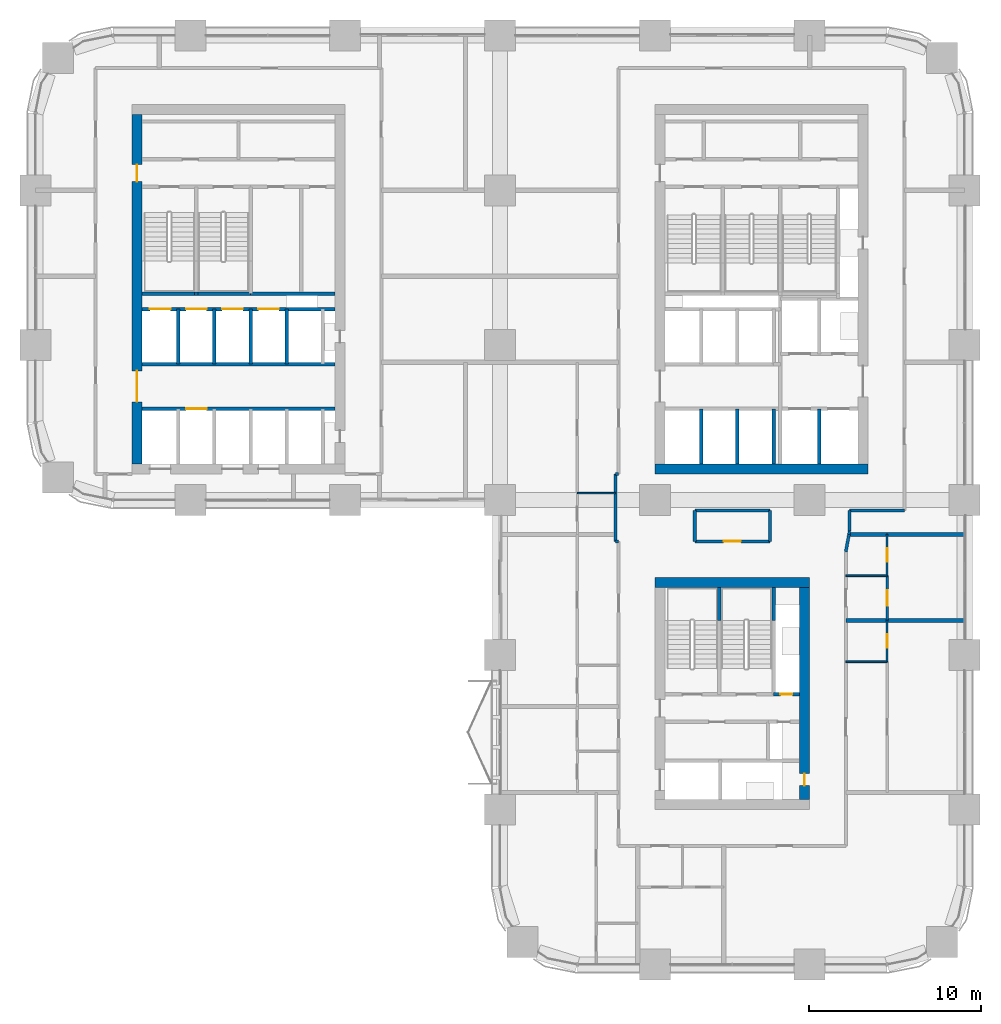
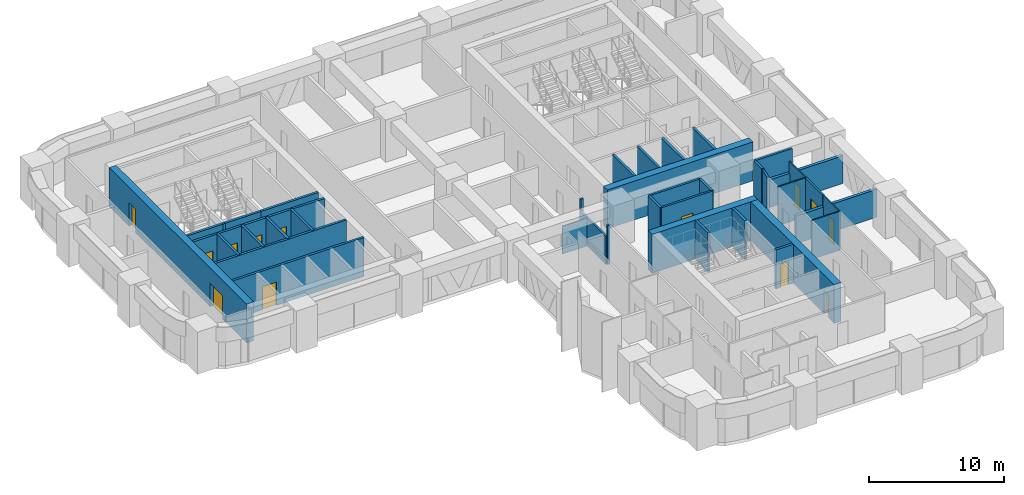
# One storey, part 14 of 19: 41 walls, 13 doors, 13 openings.
"""IFC4 building model written with IfcOpenShell, lengths in metres."""

import ifcopenshell
import ifcopenshell.guid

model = None  # the IFC model being written
_history = None  # IfcOwnerHistory: only IFC2X3 demands one
_inside = {}  # id of a spatial element -> (the spatial element, [elements in it])
_under = {}  # id of a project, library or spatial element -> (it, [spatial elements below it])
_declared = {}  # id of a project -> (the project, [libraries it declares])
_typed = {}  # id of a type object -> (the type object, [elements of that type])
_made_of = {}  # id of a material, layer set ... -> (it, [elements and type objects made of it])


def new_model(schema):
    """Start an empty IFC model of exactly this schema.

    Asked for "IFC4X3", IfcOpenShell would pick the latest addendum, in which some entities
    have other attributes; the version numbers below select the first issue.
    IFC2X3 requires an IfcOwnerHistory on every rooted entity: one is made here for all.
    """
    global model, _history
    if schema == "IFC4X3":
        model = ifcopenshell.file(schema_version=(4, 3, 0, 0))
    else:
        model = ifcopenshell.file(schema=schema)
    _inside.clear()
    _under.clear()
    _declared.clear()
    _typed.clear()
    _made_of.clear()
    _history = None
    if model.schema == "IFC2X3":
        org = make("IfcOrganization", Name="unknown")
        user = make(
            "IfcPersonAndOrganization",
            ThePerson=make("IfcPerson", FamilyName="unknown"),
            TheOrganization=org,
        )
        app = make(
            "IfcApplication",
            ApplicationDeveloper=org,
            Version="unknown",
            ApplicationFullName="unknown",
            ApplicationIdentifier="unknown",
        )
        _history = make(
            "IfcOwnerHistory",
            OwningUser=user,
            OwningApplication=app,
            ChangeAction="ADDED",
            CreationDate=0,
        )
    return model


def make(cls, **values):
    """One entity of the class cls with the attributes given. An attribute that is None is left unset."""
    return model.create_entity(
        cls, **{name: value for name, value in values.items() if value is not None}
    )


def rooted(cls, **values):
    """An entity with a GlobalId (a new one), such as an element, a storey or a relation."""
    return make(cls, GlobalId=ifcopenshell.guid.new(), OwnerHistory=_history, **values)


def si_unit(unit_type, name, prefix=None):
    """IfcSIUnit, for example si_unit("LENGTHUNIT", "METRE", prefix="MILLI")."""
    return make("IfcSIUnit", UnitType=unit_type, Prefix=prefix, Name=name)


def assignment(units):
    """IfcUnitAssignment: the units of a project."""
    return None if units is None else make("IfcUnitAssignment", Units=units)


def point(xyz):
    """IfcCartesianPoint."""
    return None if xyz is None else make("IfcCartesianPoint", Coordinates=xyz)


def direction(xyz):
    """IfcDirection."""
    return None if xyz is None else make("IfcDirection", DirectionRatios=xyz)


def frame(location, z_axis=None, x_axis=None):
    """IfcAxis2Placement3D, a coordinate frame: its origin and axes. An axis left out is left unset."""
    return make(
        "IfcAxis2Placement3D",
        Location=point(location),
        Axis=direction(z_axis),
        RefDirection=direction(x_axis),
    )


def frame_2d(location, x_axis=None):
    """IfcAxis2Placement2D, a coordinate frame in the plane: its origin and x axis."""
    return make(
        "IfcAxis2Placement2D", Location=point(location), RefDirection=direction(x_axis)
    )


def origin():
    """The frame at (0, 0, 0) with its axes left unset."""
    return frame((0.0, 0.0, 0.0))


def place(relative_to, where):
    """IfcLocalPlacement: puts the frame where relative to a parent placement (None: the world)."""
    return make(
        "IfcLocalPlacement", PlacementRelTo=relative_to, RelativePlacement=where
    )


def context(
    kind, dimensions, precision=None, world=None, true_north=None, identifier=None
):
    """IfcGeometricRepresentationContext, for example the 3D "Model" context."""
    return make(
        "IfcGeometricRepresentationContext",
        ContextIdentifier=identifier,
        ContextType=kind,
        CoordinateSpaceDimension=dimensions,
        Precision=precision,
        WorldCoordinateSystem=world,
        TrueNorth=true_north,
    )


def subcontext(parent, identifier, kind, view, scale=None):
    """IfcGeometricRepresentationSubContext, for example "Body" below "Model"."""
    return make(
        "IfcGeometricRepresentationSubContext",
        ContextIdentifier=identifier,
        ContextType=kind,
        ParentContext=parent,
        TargetScale=scale,
        TargetView=view,
    )


def project(units=None, contexts=None):
    """IfcProject with its units and contexts."""
    return rooted(
        "IfcProject",
        Name="project",
        RepresentationContexts=contexts,
        UnitsInContext=assignment(units),
    )


def spatial(cls, under=None, at=None, **own):
    """A site, building, storey or space (cls), placed at a placement, below another one or the project."""
    s = rooted(cls, ObjectPlacement=at, **own)
    if under is not None:
        _under.setdefault(under.id(), (under, []))[1].append(s)
    return s


def profile(cls, at=None, kind="AREA", **sizes):
    """A parametric profile (cls). Its sizes go by their IFC names, for example OverallWidth=200.0."""
    return make(cls, ProfileType=kind, Position=at, **sizes)


def rectangle(**sizes):
    """IfcRectangleProfileDef."""
    return profile("IfcRectangleProfileDef", **sizes)


def extrude(swept, where, along, depth):
    """IfcExtrudedAreaSolid: the profile swept, set in the frame where, extruded along a direction by depth."""
    return make(
        "IfcExtrudedAreaSolid",
        SweptArea=swept,
        Position=where,
        ExtrudedDirection=direction(along),
        Depth=depth,
    )


def shape(context_of_items, identifier, shape_type, items):
    """IfcShapeRepresentation: the items that make up one representation, for example the "Body"."""
    return make(
        "IfcShapeRepresentation",
        ContextOfItems=context_of_items,
        RepresentationIdentifier=identifier,
        RepresentationType=shape_type,
        Items=items,
    )


def material(Name=None, Category=None):
    """IfcMaterial."""
    return make("IfcMaterial", Name=Name, Category=Category)


def layer(
    of_material, thickness, ventilated=None, Name=None, Category=None, Priority=None
):
    """IfcMaterialLayer: one layer of a wall or slab, of a material (None: an air gap)."""
    return make(
        "IfcMaterialLayer",
        Material=of_material,
        LayerThickness=thickness,
        IsVentilated=ventilated,
        Name=Name,
        Category=Category,
        Priority=Priority,
    )


def layer_set(layers, Name=None):
    """IfcMaterialLayerSet."""
    return make("IfcMaterialLayerSet", MaterialLayers=layers, LayerSetName=Name)


def made_of(thing, what):
    """Note that an element or type object is made of a material, layer set ...; save() writes the relation."""
    if what is not None:
        _made_of.setdefault(what.id(), (what, []))[1].append(thing)
    return thing


def type_object(cls, material=None, **own):
    """A type object (cls), such as IfcWallType, which elements share."""
    return made_of(rooted(cls, **own), material)


def element(
    cls,
    number,
    at=None,
    inside=None,
    cuts=None,
    type_object=None,
    material=None,
    context=None,
    identifier="Body",
    shape_type=None,
    held_by="IfcProductDefinitionShape",
    body=None,
    shapes=None,
    **own,
):
    """One element of the class cls, such as IfcWall. Its Tag is "e" and its number.

    at: its placement. inside: the storey or other place that contains it. cuts: it is an
    opening in that element (IfcRelVoidsElement). A single representation is given by context,
    identifier, shape_type and body (its items); several are given by shapes. held_by: the class
    of the entity that holds the representations. save() writes the other relations.
    """
    e = rooted(cls, Tag="e%d" % number, ObjectPlacement=at, **own)
    if body is not None:
        shapes = [shape(context, identifier, shape_type, body)]
    if shapes is not None:
        e.Representation = make(held_by, Representations=shapes)
    if inside is not None:
        _inside.setdefault(inside.id(), (inside, []))[1].append(e)
    if cuts is not None:
        rooted(
            "IfcRelVoidsElement", RelatingBuildingElement=cuts, RelatedOpeningElement=e
        )
    if type_object is not None:
        _typed.setdefault(type_object.id(), (type_object, []))[1].append(e)
    return made_of(e, material)


def fill(opening, filler):
    """IfcRelFillsElement: the door or window that sits in an opening."""
    return rooted(
        "IfcRelFillsElement",
        RelatingOpeningElement=opening,
        RelatedBuildingElement=filler,
    )


def aggregate(whole, parts):
    """IfcRelAggregates: a whole, such as a stair, and the parts it consists of."""
    return rooted("IfcRelAggregates", RelatingObject=whole, RelatedObjects=parts)


def save(model, path):
    """Write the relations noted so far, then the file.

    IfcRelAggregates (storeys below a building ...), IfcRelContainedInSpatialStructure (elements
    in a storey), IfcRelDefinesByType, IfcRelAssociatesMaterial and IfcRelDeclares: one each for
    every whole, place, type object, material and project.
    """
    for whole, parts in _under.values():
        aggregate(whole, parts)
    for where, things in _inside.values():
        rooted(
            "IfcRelContainedInSpatialStructure",
            RelatedElements=things,
            RelatingStructure=where,
        )
    for kind, things in _typed.values():
        rooted("IfcRelDefinesByType", RelatedObjects=things, RelatingType=kind)
    for what, things in _made_of.values():
        rooted("IfcRelAssociatesMaterial", RelatedObjects=things, RelatingMaterial=what)
    for by, libraries in _declared.values():
        rooted("IfcRelDeclares", RelatingContext=by, RelatedDefinitions=libraries)
    model.write(path)


model = new_model("IFC4")

# Units and contexts
model_context = context("Model", 3, precision=1e-05, world=origin(), true_north=direction((0.0, 1.0)))
body_context = subcontext(model_context, "Body", "Model", "MODEL_VIEW")
ifc_project = project(units=[si_unit("LENGTHUNIT", "METRE"), si_unit("AREAUNIT", "SQUARE_METRE"), si_unit("VOLUMEUNIT", "CUBIC_METRE"), si_unit("PLANEANGLEUNIT", "RADIAN"), si_unit("MASSUNIT", "GRAM", prefix="KILO")], contexts=[model_context])

# Site, building, storey
site_placement = place(None, origin())
site = spatial("IfcSite", under=ifc_project, at=site_placement, CompositionType="ELEMENT")
building_placement = place(site_placement, origin())
building = spatial("IfcBuilding", under=site, at=building_placement, Name="Tessera Arch", CompositionType="ELEMENT")
storey_placement = place(building_placement, frame((0.0, 0.0, 85.39990234375)))
storey = spatial("IfcBuildingStorey", under=building, at=storey_placement, Name="L19", CompositionType="ELEMENT", Elevation=85.39990234375)

# Wall
ifc_material_1 = material(Name="Concrete C70/85", Category="concrete")
ifc_layer_1 = layer(ifc_material_1, 0.60009765625)
ifc_layer_set_1 = layer_set([ifc_layer_1], Name="Core shell wall 600 C70-85")
wall_type_1 = type_object("IfcWallType", Name="Core shell wall 600 C70-85", PredefinedType="SHEAR", material=ifc_layer_set_1)
wall_1_placement = place(storey_placement, frame((36.0, 28.800048828125, 0.0), z_axis=(0.0, 0.0, 1.0), x_axis=(1.0, 0.0, 0.0)))
element("IfcWall", 1, at=wall_1_placement, inside=storey, type_object=wall_type_1, Name="L19 C1 core wall S", PredefinedType="SHEAR", context=body_context, shape_type="SweptSolid", body=[
    extrude(rectangle(XDim=12.39990234375, YDim=0.60009765625, at=frame_2d((6.199951171875, 0.0))), origin(), (0.0, 0.0, 1.0), 3.5),
])

# Wall, openings, doors
wall_2_placement = place(storey_placement, frame((5.89990234375, 29.10009765625, 0.0), z_axis=(0.0, 0.0, 1.0), x_axis=(0.0, 1.0, 0.0)))
wall_2 = element("IfcWall", 2, at=wall_2_placement, inside=storey, type_object=wall_type_1, Name="L19 C2 core wall W", PredefinedType="SHEAR", context=body_context, shape_type="SweptSolid", body=[
    extrude(rectangle(XDim=20.2998046875, YDim=0.60009765625, at=frame_2d((10.14990234375, 0.0))), origin(), (0.0, 0.0, 1.0), 3.5),
])
opening_1_placement = place(wall_2_placement, frame((3.60009765625, 0.0, 0.0)))
opening_1 = element("IfcOpeningElement", 3, at=opening_1_placement, cuts=wall_2, Name="Opening L19-C25", PredefinedType="OPENING", context=body_context, shape_type="SweptSolid", body=[
    extrude(rectangle(XDim=1.800048828125, YDim=2.10009765625, at=frame_2d((0.89990234375, 1.050048828125))), frame((0.0, 0.31005859375, 0.0), z_axis=(0.0, -1.0, 0.0), x_axis=(1.0, 0.0, 0.0)), (0.0, 0.0, 1.0), 0.6201171875),
])
opening_2_placement = place(wall_2_placement, frame((16.39990234375, 0.0, 0.0)))
opening_2 = element("IfcOpeningElement", 4, at=opening_2_placement, cuts=wall_2, Name="Opening L19-C28", PredefinedType="OPENING", context=body_context, shape_type="SweptSolid", body=[
    extrude(rectangle(XDim=1.0, YDim=2.10009765625, at=frame_2d((0.5, 1.050048828125))), frame((0.0, 0.31005859375, 0.0), z_axis=(0.0, -1.0, 0.0), x_axis=(1.0, 0.0, 0.0)), (0.0, 0.0, 1.0), 0.6201171875),
])
ifc_material_2 = material(Name="Steel door leaf", Category="steel")
door_type_1 = type_object("IfcDoorType", Name="Corridor door FD60 1000 x 2100", OperationType="SINGLE_SWING_LEFT", PredefinedType="DOOR", material=ifc_material_2)
door_1_placement = place(opening_2_placement, origin())
door_1 = element("IfcDoor", 5, at=door_1_placement, inside=storey, type_object=door_type_1, Name="L19 C2 door 14 C28 type D12", OperationType="SINGLE_SWING_RIGHT", OverallHeight=2.10009765625, OverallWidth=1.0, PredefinedType="DOOR", context=body_context, shape_type="SweptSolid", body=[
    extrude(rectangle(XDim=1.0, YDim=2.10009765625, at=frame_2d((0.5, 1.050048828125))), frame((0.0, 0.02490234375, 0.0), z_axis=(0.0, -1.0, 0.0), x_axis=(1.0, 0.0, 0.0)), (0.0, 0.0, 1.0), 0.050048828125),
])
fill(opening_2, door_1)
ifc_material_3 = material(Name="Glazed steel door leaf", Category="steel")
door_type_2 = type_object("IfcDoorType", Name="Lobby double door FD30S 1800 x 2100", OperationType="DOUBLE_DOOR_SINGLE_SWING", PredefinedType="DOOR", material=ifc_material_3)
door_2_placement = place(opening_1_placement, origin())
door_2 = element("IfcDoor", 6, at=door_2_placement, inside=storey, type_object=door_type_2, Name="L19 C2 door 11 C25 type D06", OperationType="DOUBLE_DOOR_SINGLE_SWING", OverallHeight=2.10009765625, OverallWidth=1.800048828125, PredefinedType="DOOR", context=body_context, shape_type="SweptSolid", body=[
    extrude(rectangle(XDim=1.800048828125, YDim=2.10009765625, at=frame_2d((0.89990234375, 1.050048828125))), frame((0.0, 0.02490234375, 0.0), z_axis=(0.0, -1.0, 0.0), x_axis=(1.0, 0.0, 0.0)), (0.0, 0.0, 1.0), 0.050048828125),
])
fill(opening_1, door_2)

# Wall
wall_3_placement = place(storey_placement, frame((36.0, 22.199951171875, 0.0), z_axis=(0.0, 0.0, 1.0), x_axis=(1.0, 0.0, 0.0)))
element("IfcWall", 7, at=wall_3_placement, inside=storey, type_object=wall_type_1, Name="L19 C3 core wall N", PredefinedType="SHEAR", context=body_context, shape_type="SweptSolid", body=[
    extrude(rectangle(XDim=9.0, YDim=0.60009765625, at=frame_2d((4.5, 0.0))), origin(), (0.0, 0.0, 1.0), 3.5),
])

# Wall, opening, door
wall_4_placement = place(storey_placement, frame((44.699951171875, 9.60009765625, 0.0), z_axis=(0.0, 0.0, 1.0), x_axis=(0.0, 1.0, 0.0)))
wall_4 = element("IfcWall", 8, at=wall_4_placement, inside=storey, type_object=wall_type_1, Name="L19 C3 core wall E", PredefinedType="SHEAR", context=body_context, shape_type="SweptSolid", body=[
    extrude(rectangle(XDim=12.2998046875, YDim=0.60009765625, at=frame_2d((6.14990234375, 0.0))), origin(), (0.0, 0.0, 1.0), 3.5),
])
opening_3_placement = place(wall_4_placement, frame((0.800048828125, 0.0, 0.0)))
opening_3 = element("IfcOpeningElement", 9, at=opening_3_placement, cuts=wall_4, Name="Opening L19-C38", PredefinedType="OPENING", context=body_context, shape_type="SweptSolid", body=[
    extrude(rectangle(XDim=0.699951171875, YDim=2.10009765625, at=frame_2d((0.35009765625, 1.050048828125))), frame((0.0, 0.31005859375, 0.0), z_axis=(0.0, -1.0, 0.0), x_axis=(1.0, 0.0, 0.0)), (0.0, 0.0, 1.0), 0.6201171875),
])
ifc_material_4 = material(Name="Steel door leaf", Category="steel")
door_type_3 = type_object("IfcDoorType", Name="Service shaft door FD60 700 x 2100", OperationType="SINGLE_SWING_LEFT", PredefinedType="DOOR", material=ifc_material_4)
door_3_placement = place(opening_3_placement, origin())
door_3 = element("IfcDoor", 10, at=door_3_placement, inside=storey, type_object=door_type_3, Name="L19 C3 door 6 C38 type D07", OperationType="SINGLE_SWING_LEFT", OverallHeight=2.10009765625, OverallWidth=0.699951171875, PredefinedType="DOOR", context=body_context, shape_type="SweptSolid", body=[
    extrude(rectangle(XDim=0.699951171875, YDim=2.10009765625, at=frame_2d((0.35009765625, 1.050048828125))), frame((0.0, 0.02490234375, 0.0), z_axis=(0.0, -1.0, 0.0), x_axis=(1.0, 0.0, 0.0)), (0.0, 0.0, 1.0), 0.050048828125),
])
fill(opening_3, door_3)

# Wall
ifc_material_5 = material(Name="Gypsum board on deep steel stud with mineral wool", Category="steel")
ifc_layer_2 = layer(ifc_material_5, 0.175048828125)
ifc_layer_set_2 = layer_set([ifc_layer_2], Name="Corridor wall 175 EI 60")
wall_type_2 = type_object("IfcWallType", Name="Corridor wall 175 EI 60", PredefinedType="PARTITIONING", material=ifc_layer_set_2)
wall_5_placement = place(storey_placement, frame((33.699951171875, 24.590087890625, 0.0), z_axis=(0.0, 0.0, 1.0), x_axis=(1.0, 0.0, 0.0)))
element("IfcWall", 11, at=wall_5_placement, inside=storey, type_object=wall_type_2, Name="L19 partition 2", PredefinedType="PARTITIONING", context=body_context, shape_type="SweptSolid", body=[
    extrude(rectangle(XDim=0.199951171875, YDim=0.175048828125, at=frame_2d((0.10009765625, 0.0))), origin(), (0.0, 0.0, 1.0), 3.5),
])

# Wall, opening, door
wall_6_placement = place(storey_placement, frame((38.320068359375, 24.60009765625, 0.0), z_axis=(0.0, 0.0, 1.0), x_axis=(1.0, 0.0, 0.0)))
wall_6 = element("IfcWall", 12, at=wall_6_placement, inside=storey, type_object=wall_type_2, Name="L19 partition 3", PredefinedType="PARTITIONING", context=body_context, shape_type="SweptSolid", body=[
    extrude(rectangle(XDim=4.35986328125, YDim=0.175048828125, at=frame_2d((2.179931640625, 0.0))), origin(), (0.0, 0.0, 1.0), 3.5),
])
opening_4_placement = place(wall_6_placement, frame((1.679931640625, 0.0, 0.0)))
opening_4 = element("IfcOpeningElement", 13, at=opening_4_placement, cuts=wall_6, Name="Opening L19-D020", PredefinedType="OPENING", context=body_context, shape_type="SweptSolid", body=[
    extrude(rectangle(XDim=1.0, YDim=2.10009765625, at=frame_2d((0.5, 1.050048828125))), frame((0.0, 0.097412109375, 0.0), z_axis=(0.0, -1.0, 0.0), x_axis=(1.0, 0.0, 0.0)), (0.0, 0.0, 1.0), 0.195068359375),
])
ifc_material_6 = material(Name="Fire-rated door leaf")
door_type_4 = type_object("IfcDoorType", Name="Entrance door FD30S 1000 x 2100", OperationType="SINGLE_SWING_LEFT", PredefinedType="DOOR", material=ifc_material_6)
door_4_placement = place(opening_4_placement, origin())
door_4 = element("IfcDoor", 14, at=door_4_placement, inside=storey, type_object=door_type_4, Name="L19 door D020 type D03", OperationType="SINGLE_SWING_RIGHT", OverallHeight=2.10009765625, OverallWidth=1.0, PredefinedType="DOOR", context=body_context, shape_type="SweptSolid", body=[
    extrude(rectangle(XDim=1.0, YDim=2.10009765625, at=frame_2d((0.5, 1.050048828125))), frame((0.0, 0.02490234375, 0.0), z_axis=(0.0, -1.0, 0.0), x_axis=(1.0, 0.0, 0.0)), (0.0, 0.0, 1.0), 0.050048828125),
])
fill(opening_4, door_4)

# Walls
wall_7_placement = place(storey_placement, frame((38.320068359375, 26.39990234375, 0.0), z_axis=(0.0, 0.0, 1.0), x_axis=(1.0, 0.0, 0.0)))
element("IfcWall", 15, at=wall_7_placement, inside=storey, type_object=wall_type_2, Name="L19 partition 4", PredefinedType="PARTITIONING", context=body_context, shape_type="SweptSolid", body=[
    extrude(rectangle(XDim=4.35986328125, YDim=0.175048828125, at=frame_2d((2.179931640625, 0.0))), origin(), (0.0, 0.0, 1.0), 3.5),
])
wall_8_placement = place(storey_placement, frame((47.320068359375, 26.39990234375, 0.0), z_axis=(0.0, 0.0, 1.0), x_axis=(1.0, 0.0, 0.0)))
element("IfcWall", 16, at=wall_8_placement, inside=storey, type_object=wall_type_2, Name="L19 partition 5", PredefinedType="PARTITIONING", context=body_context, shape_type="SweptSolid", body=[
    extrude(rectangle(XDim=3.179931640625, YDim=0.175048828125, at=frame_2d((1.58984375, 0.0))), origin(), (0.0, 0.0, 1.0), 3.5),
])
wall_9_placement = place(storey_placement, frame((33.699951171875, 28.52001953125, 0.0), z_axis=(0.0, 0.0, 1.0), x_axis=(1.0, 0.0, 0.0)))
element("IfcWall", 17, at=wall_9_placement, inside=storey, type_object=wall_type_2, Name="L19 partition 8", PredefinedType="PARTITIONING", context=body_context, shape_type="SweptSolid", body=[
    extrude(rectangle(XDim=0.199951171875, YDim=0.175048828125, at=frame_2d((0.10009765625, 0.0))), origin(), (0.0, 0.0, 1.0), 3.5),
])
wall_10_placement = place(storey_placement, frame((33.699951171875, 24.590087890625, 0.0), z_axis=(0.0, 0.0, 1.0), x_axis=(0.0, 1.0, 0.0)))
element("IfcWall", 18, at=wall_10_placement, inside=storey, type_object=wall_type_2, Name="L19 partition 13", PredefinedType="PARTITIONING", context=body_context, shape_type="SweptSolid", body=[
    extrude(rectangle(XDim=3.929931640625, YDim=0.175048828125, at=frame_2d((1.96484375, 0.0))), origin(), (0.0, 0.0, 1.0), 2.5),
])
for number, where, z_axis, x_axis, name in (
    (19, (38.320068359375, 24.60009765625, 0.0), (0.0, 0.0, 1.0), (0.0, 1.0, 0.0), "L19 partition 16"),
    (20, (42.679931640625, 24.60009765625, 0.0), (0.0, 0.0, 1.0), (0.0, 1.0, 0.0), "L19 partition 17"),
):
    element("IfcWall", number, at=place(storey_placement, frame(where, z_axis=z_axis, x_axis=x_axis)), inside=storey, type_object=wall_type_2, Name=name, PredefinedType="PARTITIONING", context=body_context, shape_type="SweptSolid", body=[
        extrude(rectangle(XDim=1.7998046875, YDim=0.175048828125, at=frame_2d((0.89990234375, 0.0))), origin(), (0.0, 0.0, 1.0), 3.5),
    ])
wall_11_placement = place(storey_placement, frame((47.320068359375, 25.18994140625, 0.0), z_axis=(0.0, 0.0, 1.0), x_axis=(0.0, 1.0, 0.0)))
element("IfcWall", 21, at=wall_11_placement, inside=storey, type_object=wall_type_2, Name="L19 partition 19", PredefinedType="PARTITIONING", context=body_context, shape_type="SweptSolid", body=[
    extrude(rectangle(XDim=1.2099609375, YDim=0.175048828125, at=frame_2d((0.60498046875, 0.0))), origin(), (0.0, 0.0, 1.0), 3.5),
])
wall_12_placement = place(storey_placement, frame((47.285400390625, 25.001953125, 0.0), z_axis=(0.0, 0.0, 1.0), x_axis=(-0.180117405398, -0.983645119071, 0.0)))
element("IfcWall", 22, at=wall_12_placement, inside=storey, type_object=wall_type_2, Name="L19 partition 65", PredefinedType="PARTITIONING", context=body_context, shape_type="SweptSolid", body=[
    extrude(rectangle(XDim=1.02880859375, YDim=0.175048828125, at=frame_2d((0.514404296875, 0.0))), origin(), (0.0, 0.0, 1.0), 3.5),
])
wall_13_placement = place(storey_placement, frame((47.320068359375, 25.18994140625, 0.0), z_axis=(0.0, 0.0, 1.0), x_axis=(-0.180206793317, -0.983628746856, 0.0)))
element("IfcWall", 23, at=wall_13_placement, inside=storey, type_object=wall_type_2, Name="L19 partition 66", PredefinedType="PARTITIONING", context=body_context, shape_type="SweptSolid", body=[
    extrude(rectangle(XDim=0.195068359375, YDim=0.175048828125, at=frame_2d((0.09765625, 0.0))), origin(), (0.0, 0.0, 1.0), 3.5),
])

# Wall, opening, door
ifc_material_7 = material(Name="Gypsum board on steel stud", Category="steel")
ifc_layer_3 = layer(ifc_material_7, 0.14990234375)
ifc_layer_set_3 = layer_set([ifc_layer_3], Name="Partition 150")
wall_type_3 = type_object("IfcWallType", Name="Partition 150", PredefinedType="PARTITIONING", material=ifc_layer_set_3)
wall_14_placement = place(storey_placement, frame((49.5, 20.0, 0.0), z_axis=(0.0, 0.0, 1.0), x_axis=(0.0, 1.0, 0.0)))
wall_14 = element("IfcWall", 24, at=wall_14_placement, inside=storey, type_object=wall_type_3, Name="L19 partition 27", PredefinedType="PARTITIONING", context=body_context, shape_type="SweptSolid", body=[
    extrude(rectangle(XDim=2.60009765625, YDim=0.14990234375, at=frame_2d((1.300048828125, 0.0))), origin(), (0.0, 0.0, 1.0), 3.5),
])
opening_5_placement = place(wall_14_placement, frame((0.85009765625, 0.0, 0.0)))
opening_5 = element("IfcOpeningElement", 25, at=opening_5_placement, cuts=wall_14, Name="Opening L19-D018", PredefinedType="OPENING", context=body_context, shape_type="SweptSolid", body=[
    extrude(rectangle(XDim=0.89990234375, YDim=2.10009765625, at=frame_2d((0.449951171875, 1.050048828125))), frame((0.0, 0.0849609375, 0.0), z_axis=(0.0, -1.0, 0.0), x_axis=(1.0, 0.0, 0.0)), (0.0, 0.0, 1.0), 0.169921875),
])
ifc_material_8 = material(Name="Timber door leaf", Category="wood")
door_type_5 = type_object("IfcDoorType", Name="Room door 900 x 2100", OperationType="SINGLE_SWING_LEFT", PredefinedType="DOOR", material=ifc_material_8)
door_5_placement = place(opening_5_placement, origin())
door_5 = element("IfcDoor", 26, at=door_5_placement, inside=storey, type_object=door_type_5, Name="L19 door D018 type D01", OperationType="SINGLE_SWING_LEFT", OverallHeight=2.10009765625, OverallWidth=0.89990234375, PredefinedType="DOOR", context=body_context, shape_type="SweptSolid", body=[
    extrude(rectangle(XDim=0.89990234375, YDim=2.10009765625, at=frame_2d((0.449951171875, 1.050048828125))), frame((0.0, 0.02490234375, 0.0), z_axis=(0.0, -1.0, 0.0), x_axis=(1.0, 0.0, 0.0)), (0.0, 0.0, 1.0), 0.050048828125),
])
fill(opening_5, door_5)

# Walls
ifc_material_9 = material(Name="Double gypsum board on twin steel stud with acoustic mineral wool", Category="steel")
ifc_layer_4 = layer(ifc_material_9, 0.25)
ifc_layer_set_4 = layer_set([ifc_layer_4], Name="Party wall 250 EI 60")
wall_type_4 = type_object("IfcWallType", Name="Party wall 250 EI 60", PredefinedType="PARTITIONING", material=ifc_layer_set_4)
wall_15_placement = place(storey_placement, frame((47.10009765625, 20.0, 0.0), z_axis=(0.0, 0.0, 1.0), x_axis=(1.0, 0.0, 0.0)))
element("IfcWall", 27, at=wall_15_placement, inside=storey, type_object=wall_type_4, Name="L19 partition 31", PredefinedType="PARTITIONING", context=body_context, shape_type="SweptSolid", body=[
    extrude(rectangle(XDim=6.89990234375, YDim=0.25, at=frame_2d((3.449951171875, 0.0))), origin(), (0.0, 0.0, 1.0), 2.5),
])
wall_16_placement = place(storey_placement, frame((47.30322265625, 25.0, 0.0), z_axis=(0.0, 0.0, 1.0), x_axis=(1.0, 0.0, 0.0)))
element("IfcWall", 28, at=wall_16_placement, inside=storey, type_object=wall_type_4, Name="L19 partition 33", PredefinedType="PARTITIONING", context=body_context, shape_type="SweptSolid", body=[
    extrude(rectangle(XDim=6.69677734375, YDim=0.25, at=frame_2d((3.348388671875, 0.0))), origin(), (0.0, 0.0, 1.0), 2.5),
])
ifc_material_10 = material(Name="Concrete C40/50", Category="concrete")
ifc_layer_5 = layer(ifc_material_10, 0.199951171875)
ifc_layer_set_5 = layer_set([ifc_layer_5], Name="Shaft wall 200 EI 120")
wall_type_5 = type_object("IfcWallType", Name="Shaft wall 200 EI 120", PredefinedType="SOLIDWALL", material=ifc_layer_set_5)
for number, where, z_axis, x_axis, name in (
    (29, (38.699951171875, 29.10009765625, 0.0), (0.0, 0.0, 1.0), (0.0, 1.0, 0.0), "L19 C1 shaft wall 1"),
    (30, (40.800048828125, 29.10009765625, 0.0), (0.0, 0.0, 1.0), (0.0, 1.0, 0.0), "L19 C1 shaft wall 6"),
    (31, (42.89990234375, 29.10009765625, 0.0), (0.0, 0.0, 1.0), (0.0, 1.0, 0.0), "L19 C1 shaft wall 8"),
    (32, (45.550048828125, 29.10009765625, 0.0), (0.0, 0.0, 1.0), (0.0, 1.0, 0.0), "L19 C1 shaft wall 14"),
):
    element("IfcWall", number, at=place(storey_placement, frame(where, z_axis=z_axis, x_axis=x_axis)), inside=storey, type_object=wall_type_5, Name=name, PredefinedType="SOLIDWALL", context=body_context, shape_type="SweptSolid", body=[
        extrude(rectangle(XDim=3.199951171875, YDim=0.199951171875, at=frame_2d((1.60009765625, 0.0))), origin(), (0.0, 0.0, 1.0), 3.5),
    ])
for number, where, z_axis, x_axis, name in (
    (33, (8.300048828125, 34.89990234375, 0.0), (0.0, 0.0, 1.0), (0.0, 1.0, 0.0), "L19 C2 shaft wall 2"),
    (34, (10.39990234375, 34.89990234375, 0.0), (0.0, 0.0, 1.0), (0.0, 1.0, 0.0), "L19 C2 shaft wall 6"),
    (35, (12.5, 34.89990234375, 0.0), (0.0, 0.0, 1.0), (0.0, 1.0, 0.0), "L19 C2 shaft wall 9"),
    (36, (14.60009765625, 34.89990234375, 0.0), (0.0, 0.0, 1.0), (0.0, 1.0, 0.0), "L19 C2 shaft wall 13"),
):
    element("IfcWall", number, at=place(storey_placement, frame(where, z_axis=z_axis, x_axis=x_axis)), inside=storey, type_object=wall_type_5, Name=name, PredefinedType="SOLIDWALL", context=body_context, shape_type="SweptSolid", body=[
        extrude(rectangle(XDim=3.2001953125, YDim=0.199951171875, at=frame_2d((1.60009765625, 0.0))), origin(), (0.0, 0.0, 1.0), 3.5),
    ])

# Wall, opening, door
wall_17_placement = place(storey_placement, frame((6.199951171875, 32.300048828125, 0.0), z_axis=(0.0, 0.0, 1.0), x_axis=(1.0, 0.0, 0.0)))
wall_17 = element("IfcWall", 37, at=wall_17_placement, inside=storey, type_object=wall_type_5, Name="L19 C2 shaft wall 17", PredefinedType="SOLIDWALL", context=body_context, shape_type="SweptSolid", body=[
    extrude(rectangle(XDim=11.199951171875, YDim=0.199951171875, at=frame_2d((5.60009765625, 0.0))), origin(), (0.0, 0.0, 1.0), 3.5),
])
opening_6_placement = place(wall_17_placement, frame((2.550048828125, 0.0, 0.0)))
opening_6 = element("IfcOpeningElement", 38, at=opening_6_placement, cuts=wall_17, Name="Opening L19-C16", PredefinedType="OPENING", context=body_context, shape_type="SweptSolid", body=[
    extrude(rectangle(XDim=1.199951171875, YDim=2.10009765625, at=frame_2d((0.60009765625, 1.050048828125))), frame((0.0, 0.10986328125, 0.0), z_axis=(0.0, -1.0, 0.0), x_axis=(1.0, 0.0, 0.0)), (0.0, 0.0, 1.0), 0.219970703125),
])
ifc_material_11 = material(Name="Stainless steel AISI 304", Category="steel")
door_type_6 = type_object("IfcDoorType", Name="Sliding landing door 1200 x 2100", OperationType="SLIDING_TO_LEFT", PredefinedType="DOOR", material=ifc_material_11)
door_6_placement = place(opening_6_placement, origin())
door_6 = element("IfcDoor", 39, at=door_6_placement, inside=storey, type_object=door_type_6, Name="L19 LR2 lift landing door C16 type LD", OperationType="SLIDING_TO_LEFT", OverallHeight=2.10009765625, OverallWidth=1.199951171875, PredefinedType="DOOR", context=body_context, shape_type="SweptSolid", body=[
    extrude(rectangle(XDim=1.199951171875, YDim=2.10009765625, at=frame_2d((0.60009765625, 1.050048828125))), frame((0.0, 0.02490234375, 0.0), z_axis=(0.0, -1.0, 0.0), x_axis=(1.0, 0.0, 0.0)), (0.0, 0.0, 1.0), 0.050048828125),
])
fill(opening_6, door_6)

# Wall
wall_18_placement = place(storey_placement, frame((6.199951171875, 34.89990234375, 0.0), z_axis=(0.0, 0.0, 1.0), x_axis=(1.0, 0.0, 0.0)))
element("IfcWall", 40, at=wall_18_placement, inside=storey, type_object=wall_type_5, Name="L19 C2 shaft wall 18", PredefinedType="SOLIDWALL", context=body_context, shape_type="SweptSolid", body=[
    extrude(rectangle(XDim=11.199951171875, YDim=0.199951171875, at=frame_2d((5.60009765625, 0.0))), origin(), (0.0, 0.0, 1.0), 3.5),
])

# Wall, openings, doors
wall_19_placement = place(storey_placement, frame((6.199951171875, 38.10009765625, 0.0), z_axis=(0.0, 0.0, 1.0), x_axis=(1.0, 0.0, 0.0)))
wall_19 = element("IfcWall", 41, at=wall_19_placement, inside=storey, type_object=wall_type_5, Name="L19 C2 shaft wall 19", PredefinedType="SOLIDWALL", context=body_context, shape_type="SweptSolid", body=[
    extrude(rectangle(XDim=11.199951171875, YDim=0.199951171875, at=frame_2d((5.60009765625, 0.0))), origin(), (0.0, 0.0, 1.0), 3.5),
])
opening_7_placement = place(wall_19_placement, frame((0.449951171875, 0.0, 0.0)))
opening_7 = element("IfcOpeningElement", 42, at=opening_7_placement, cuts=wall_19, Name="Opening L19-C19", PredefinedType="OPENING", context=body_context, shape_type="SweptSolid", body=[
    extrude(rectangle(XDim=1.199951171875, YDim=2.10009765625, at=frame_2d((0.60009765625, 1.050048828125))), frame((0.0, 0.10986328125, 0.0), z_axis=(0.0, -1.0, 0.0), x_axis=(1.0, 0.0, 0.0)), (0.0, 0.0, 1.0), 0.219970703125),
])
opening_8_placement = place(wall_19_placement, frame((2.550048828125, 0.0, 0.0)))
opening_8 = element("IfcOpeningElement", 43, at=opening_8_placement, cuts=wall_19, Name="Opening L19-C20", PredefinedType="OPENING", context=body_context, shape_type="SweptSolid", body=[
    extrude(rectangle(XDim=1.199951171875, YDim=2.10009765625, at=frame_2d((0.60009765625, 1.050048828125))), frame((0.0, 0.10986328125, 0.0), z_axis=(0.0, -1.0, 0.0), x_axis=(1.0, 0.0, 0.0)), (0.0, 0.0, 1.0), 0.219970703125),
])
opening_9_placement = place(wall_19_placement, frame((4.64990234375, 0.0, 0.0)))
opening_9 = element("IfcOpeningElement", 44, at=opening_9_placement, cuts=wall_19, Name="Opening L19-C21", PredefinedType="OPENING", context=body_context, shape_type="SweptSolid", body=[
    extrude(rectangle(XDim=1.199951171875, YDim=2.10009765625, at=frame_2d((0.60009765625, 1.050048828125))), frame((0.0, 0.10986328125, 0.0), z_axis=(0.0, -1.0, 0.0), x_axis=(1.0, 0.0, 0.0)), (0.0, 0.0, 1.0), 0.219970703125),
])
opening_10_placement = place(wall_19_placement, frame((6.75, 0.0, 0.0)))
opening_10 = element("IfcOpeningElement", 45, at=opening_10_placement, cuts=wall_19, Name="Opening L19-C22", PredefinedType="OPENING", context=body_context, shape_type="SweptSolid", body=[
    extrude(rectangle(XDim=1.199951171875, YDim=2.10009765625, at=frame_2d((0.60009765625, 1.050048828125))), frame((0.0, 0.10986328125, 0.0), z_axis=(0.0, -1.0, 0.0), x_axis=(1.0, 0.0, 0.0)), (0.0, 0.0, 1.0), 0.219970703125),
])
door_7_placement = place(opening_7_placement, origin())
door_7 = element("IfcDoor", 46, at=door_7_placement, inside=storey, type_object=door_type_6, Name="L19 LR5 lift landing door C19 type LD", OperationType="SLIDING_TO_LEFT", OverallHeight=2.10009765625, OverallWidth=1.199951171875, PredefinedType="DOOR", context=body_context, shape_type="SweptSolid", body=[
    extrude(rectangle(XDim=1.199951171875, YDim=2.10009765625, at=frame_2d((0.60009765625, 1.050048828125))), frame((0.0, 0.02490234375, 0.0), z_axis=(0.0, -1.0, 0.0), x_axis=(1.0, 0.0, 0.0)), (0.0, 0.0, 1.0), 0.050048828125),
])
fill(opening_7, door_7)
door_8_placement = place(opening_8_placement, origin())
door_8 = element("IfcDoor", 47, at=door_8_placement, inside=storey, type_object=door_type_6, Name="L19 LR6 lift landing door C20 type LD", OperationType="SLIDING_TO_LEFT", OverallHeight=2.10009765625, OverallWidth=1.199951171875, PredefinedType="DOOR", context=body_context, shape_type="SweptSolid", body=[
    extrude(rectangle(XDim=1.199951171875, YDim=2.10009765625, at=frame_2d((0.60009765625, 1.050048828125))), frame((0.0, 0.02490234375, 0.0), z_axis=(0.0, -1.0, 0.0), x_axis=(1.0, 0.0, 0.0)), (0.0, 0.0, 1.0), 0.050048828125),
])
fill(opening_8, door_8)
door_9_placement = place(opening_9_placement, origin())
door_9 = element("IfcDoor", 48, at=door_9_placement, inside=storey, type_object=door_type_6, Name="L19 LR7 lift landing door C21 type LD", OperationType="SLIDING_TO_LEFT", OverallHeight=2.10009765625, OverallWidth=1.199951171875, PredefinedType="DOOR", context=body_context, shape_type="SweptSolid", body=[
    extrude(rectangle(XDim=1.199951171875, YDim=2.10009765625, at=frame_2d((0.60009765625, 1.050048828125))), frame((0.0, 0.02490234375, 0.0), z_axis=(0.0, -1.0, 0.0), x_axis=(1.0, 0.0, 0.0)), (0.0, 0.0, 1.0), 0.050048828125),
])
fill(opening_9, door_9)
door_10_placement = place(opening_10_placement, origin())
door_10 = element("IfcDoor", 49, at=door_10_placement, inside=storey, type_object=door_type_6, Name="L19 LR8 lift landing door C22 type LD", OperationType="SLIDING_TO_LEFT", OverallHeight=2.10009765625, OverallWidth=1.199951171875, PredefinedType="DOOR", context=body_context, shape_type="SweptSolid", body=[
    extrude(rectangle(XDim=1.199951171875, YDim=2.10009765625, at=frame_2d((0.60009765625, 1.050048828125))), frame((0.0, 0.02490234375, 0.0), z_axis=(0.0, -1.0, 0.0), x_axis=(1.0, 0.0, 0.0)), (0.0, 0.0, 1.0), 0.050048828125),
])
fill(opening_10, door_10)

# Wall
wall_20_placement = place(storey_placement, frame((12.5, 39.0, 0.0), z_axis=(0.0, 0.0, 1.0), x_axis=(1.0, 0.0, 0.0)))
element("IfcWall", 50, at=wall_20_placement, inside=storey, type_object=wall_type_5, Name="L19 C2 shaft wall 20", PredefinedType="SOLIDWALL", context=body_context, shape_type="SweptSolid", body=[
    extrude(rectangle(XDim=4.89990234375, YDim=0.199951171875, at=frame_2d((2.449951171875, 0.0))), origin(), (0.0, 0.0, 1.0), 3.5),
])

# Wall, opening, door
wall_21_placement = place(storey_placement, frame((42.89990234375, 15.699951171875, 0.0), z_axis=(0.0, 0.0, 1.0), x_axis=(1.0, 0.0, 0.0)))
wall_21 = element("IfcWall", 51, at=wall_21_placement, inside=storey, type_object=wall_type_5, Name="L19 C3 shaft wall 10", PredefinedType="SOLIDWALL", context=body_context, shape_type="SweptSolid", body=[
    extrude(rectangle(XDim=1.5, YDim=0.199951171875, at=frame_2d((0.75, 0.0))), origin(), (0.0, 0.0, 1.0), 3.5),
])
opening_11_placement = place(wall_21_placement, frame((0.39990234375, 0.0, 0.0)))
opening_11 = element("IfcOpeningElement", 52, at=opening_11_placement, cuts=wall_21, Name="Opening L19-C36", PredefinedType="OPENING", context=body_context, shape_type="SweptSolid", body=[
    extrude(rectangle(XDim=0.699951171875, YDim=2.10009765625, at=frame_2d((0.35009765625, 1.050048828125))), frame((0.0, 0.10986328125, 0.0), z_axis=(0.0, -1.0, 0.0), x_axis=(1.0, 0.0, 0.0)), (0.0, 0.0, 1.0), 0.219970703125),
])
door_11_placement = place(opening_11_placement, origin())
door_11 = element("IfcDoor", 53, at=door_11_placement, inside=storey, type_object=door_type_3, Name="L19 C3 door 4 C36 type D07", OperationType="SINGLE_SWING_LEFT", OverallHeight=2.10009765625, OverallWidth=0.699951171875, PredefinedType="DOOR", context=body_context, shape_type="SweptSolid", body=[
    extrude(rectangle(XDim=0.699951171875, YDim=2.10009765625, at=frame_2d((0.35009765625, 1.050048828125))), frame((0.0, 0.02490234375, 0.0), z_axis=(0.0, -1.0, 0.0), x_axis=(1.0, 0.0, 0.0)), (0.0, 0.0, 1.0), 0.050048828125),
])
fill(opening_11, door_11)

# Walls
ifc_material_12 = material(Name="Concrete C40/50", Category="concrete")
ifc_layer_6 = layer(ifc_material_12, 0.199951171875)
ifc_layer_set_6 = layer_set([ifc_layer_6], Name="Stair well wall 200 REI 180")
wall_type_6 = type_object("IfcWallType", Name="Stair well wall 200 REI 180", PredefinedType="SOLIDWALL", material=ifc_layer_set_6)
wall_22_placement = place(storey_placement, frame((6.199951171875, 39.0, 0.0), z_axis=(0.0, 0.0, 1.0), x_axis=(1.0, 0.0, 0.0)))
element("IfcWall", 54, at=wall_22_placement, inside=storey, type_object=wall_type_6, Name="L19 C2 shaft wall 21", PredefinedType="SOLIDWALL", context=body_context, shape_type="SweptSolid", body=[
    extrude(rectangle(XDim=3.050048828125, YDim=0.199951171875, at=frame_2d((1.52490234375, 0.0))), origin(), (0.0, 0.0, 1.0), 3.5),
])
wall_23_placement = place(storey_placement, frame((9.25, 39.0, 0.0), z_axis=(0.0, 0.0, 1.0), x_axis=(1.0, 0.0, 0.0)))
element("IfcWall", 55, at=wall_23_placement, inside=storey, type_object=wall_type_6, Name="L19 C2 shaft wall 22", PredefinedType="SOLIDWALL", context=body_context, shape_type="SweptSolid", body=[
    extrude(rectangle(XDim=0.199951171875, YDim=0.199951171875, at=frame_2d((0.10009765625, 0.0))), origin(), (0.0, 0.0, 1.0), 3.5),
])
wall_24_placement = place(storey_placement, frame((9.449951171875, 39.0, 0.0), z_axis=(0.0, 0.0, 1.0), x_axis=(1.0, 0.0, 0.0)))
element("IfcWall", 56, at=wall_24_placement, inside=storey, type_object=wall_type_6, Name="L19 C2 shaft wall 23", PredefinedType="SOLIDWALL", context=body_context, shape_type="SweptSolid", body=[
    extrude(rectangle(XDim=3.050048828125, YDim=0.199951171875, at=frame_2d((1.52490234375, 0.0))), origin(), (0.0, 0.0, 1.0), 3.5),
])
for number, where, z_axis, x_axis, name in (
    (57, (39.75, 20.0, 0.0), (0.0, 0.0, 1.0), (0.0, 1.0, 0.0), "L19 C3 shaft wall 2"),
    (58, (42.89990234375, 20.0, 0.0), (0.0, 0.0, 1.0), (0.0, 1.0, 0.0), "L19 C3 shaft wall 6"),
):
    element("IfcWall", number, at=place(storey_placement, frame(where, z_axis=z_axis, x_axis=x_axis)), inside=storey, type_object=wall_type_6, Name=name, PredefinedType="SOLIDWALL", context=body_context, shape_type="SweptSolid", body=[
        extrude(rectangle(XDim=1.89990234375, YDim=0.199951171875, at=frame_2d((0.949951171875, 0.0))), origin(), (0.0, 0.0, 1.0), 3.5),
    ])
ifc_material_13 = material(Name="Moisture-resistant board on pre-plumbed steel stud", Category="steel")
ifc_layer_7 = layer(ifc_material_13, 0.10009765625)
ifc_layer_set_7 = layer_set([ifc_layer_7], Name="Wet wall 100")
wall_type_7 = type_object("IfcWallType", Name="Wet wall 100", PredefinedType="PARTITIONING", material=ifc_layer_set_7)
for number, where, z_axis, x_axis, name in (
    (59, (47.10009765625, 17.60009765625, 0.0), (0.0, 0.0, 1.0), (1.0, 0.0, 0.0), "L19 partition 55"),
    (60, (47.10009765625, 22.60009765625, 0.0), (0.0, 0.0, 1.0), (1.0, 0.0, 0.0), "L19 partition 56"),
):
    element("IfcWall", number, at=place(storey_placement, frame(where, z_axis=z_axis, x_axis=x_axis)), inside=storey, type_object=wall_type_7, Name=name, PredefinedType="PARTITIONING", context=body_context, shape_type="SweptSolid", body=[
        extrude(rectangle(XDim=2.39990234375, YDim=0.10009765625, at=frame_2d((1.199951171875, 0.0))), origin(), (0.0, 0.0, 1.0), 3.5),
    ])
wall_25_placement = place(storey_placement, frame((31.5, 27.39990234375, 0.0), z_axis=(0.0, 0.0, 1.0), x_axis=(1.0, 0.0, 0.0)))
element("IfcWall", 61, at=wall_25_placement, inside=storey, type_object=wall_type_7, Name="L19 partition 57", PredefinedType="PARTITIONING", context=body_context, shape_type="SweptSolid", body=[
    extrude(rectangle(XDim=2.199951171875, YDim=0.10009765625, at=frame_2d((1.10009765625, 0.0))), origin(), (0.0, 0.0, 1.0), 2.5),
])

# Wall, opening, door
wall_26_placement = place(storey_placement, frame((49.5, 17.60009765625, 0.0), z_axis=(0.0, 0.0, 1.0), x_axis=(0.0, 1.0, 0.0)))
wall_26 = element("IfcWall", 62, at=wall_26_placement, inside=storey, type_object=wall_type_7, Name="L19 partition 63", PredefinedType="PARTITIONING", context=body_context, shape_type="SweptSolid", body=[
    extrude(rectangle(XDim=2.39990234375, YDim=0.10009765625, at=frame_2d((1.199951171875, 0.0))), origin(), (0.0, 0.0, 1.0), 3.5),
])
opening_12_placement = place(wall_26_placement, frame((0.800048828125, 0.0, 0.0)))
opening_12 = element("IfcOpeningElement", 63, at=opening_12_placement, cuts=wall_26, Name="Opening L19-D013", PredefinedType="OPENING", context=body_context, shape_type="SweptSolid", body=[
    extrude(rectangle(XDim=0.800048828125, YDim=2.10009765625, at=frame_2d((0.39990234375, 1.050048828125))), frame((0.0, 0.06005859375, 0.0), z_axis=(0.0, -1.0, 0.0), x_axis=(1.0, 0.0, 0.0)), (0.0, 0.0, 1.0), 0.1201171875),
])
ifc_material_14 = material(Name="Timber door leaf", Category="wood")
door_type_7 = type_object("IfcDoorType", Name="En-suite door 800 x 2100", OperationType="SINGLE_SWING_LEFT", PredefinedType="DOOR", material=ifc_material_14)
door_12_placement = place(opening_12_placement, origin())
door_12 = element("IfcDoor", 64, at=door_12_placement, inside=storey, type_object=door_type_7, Name="L19 door D013 type D02", OperationType="SINGLE_SWING_RIGHT", OverallHeight=2.10009765625, OverallWidth=0.800048828125, PredefinedType="DOOR", context=body_context, shape_type="SweptSolid", body=[
    extrude(rectangle(XDim=0.800048828125, YDim=2.10009765625, at=frame_2d((0.39990234375, 1.050048828125))), frame((0.0, 0.02490234375, 0.0), z_axis=(0.0, -1.0, 0.0), x_axis=(1.0, 0.0, 0.0)), (0.0, 0.0, 1.0), 0.050048828125),
])
fill(opening_12, door_12)

wall_27_placement = place(storey_placement, frame((49.5, 22.60009765625, 0.0), z_axis=(0.0, 0.0, 1.0), x_axis=(0.0, 1.0, 0.0)))
wall_27 = element("IfcWall", 65, at=wall_27_placement, inside=storey, type_object=wall_type_7, Name="L19 partition 64", PredefinedType="PARTITIONING", context=body_context, shape_type="SweptSolid", body=[
    extrude(rectangle(XDim=2.39990234375, YDim=0.10009765625, at=frame_2d((1.199951171875, 0.0))), origin(), (0.0, 0.0, 1.0), 3.5),
])
opening_13_placement = place(wall_27_placement, frame((0.800048828125, 0.0, 0.0)))
opening_13 = element("IfcOpeningElement", 66, at=opening_13_placement, cuts=wall_27, Name="Opening L19-D019", PredefinedType="OPENING", context=body_context, shape_type="SweptSolid", body=[
    extrude(rectangle(XDim=0.800048828125, YDim=2.10009765625, at=frame_2d((0.39990234375, 1.050048828125))), frame((0.0, 0.06005859375, 0.0), z_axis=(0.0, -1.0, 0.0), x_axis=(1.0, 0.0, 0.0)), (0.0, 0.0, 1.0), 0.1201171875),
])
door_13_placement = place(opening_13_placement, origin())
door_13 = element("IfcDoor", 67, at=door_13_placement, inside=storey, type_object=door_type_7, Name="L19 door D019 type D02", OperationType="SINGLE_SWING_RIGHT", OverallHeight=2.10009765625, OverallWidth=0.800048828125, PredefinedType="DOOR", context=body_context, shape_type="SweptSolid", body=[
    extrude(rectangle(XDim=0.800048828125, YDim=2.10009765625, at=frame_2d((0.39990234375, 1.050048828125))), frame((0.0, 0.02490234375, 0.0), z_axis=(0.0, -1.0, 0.0), x_axis=(1.0, 0.0, 0.0)), (0.0, 0.0, 1.0), 0.050048828125),
])
fill(opening_13, door_13)

save(model, "model.ifc")
